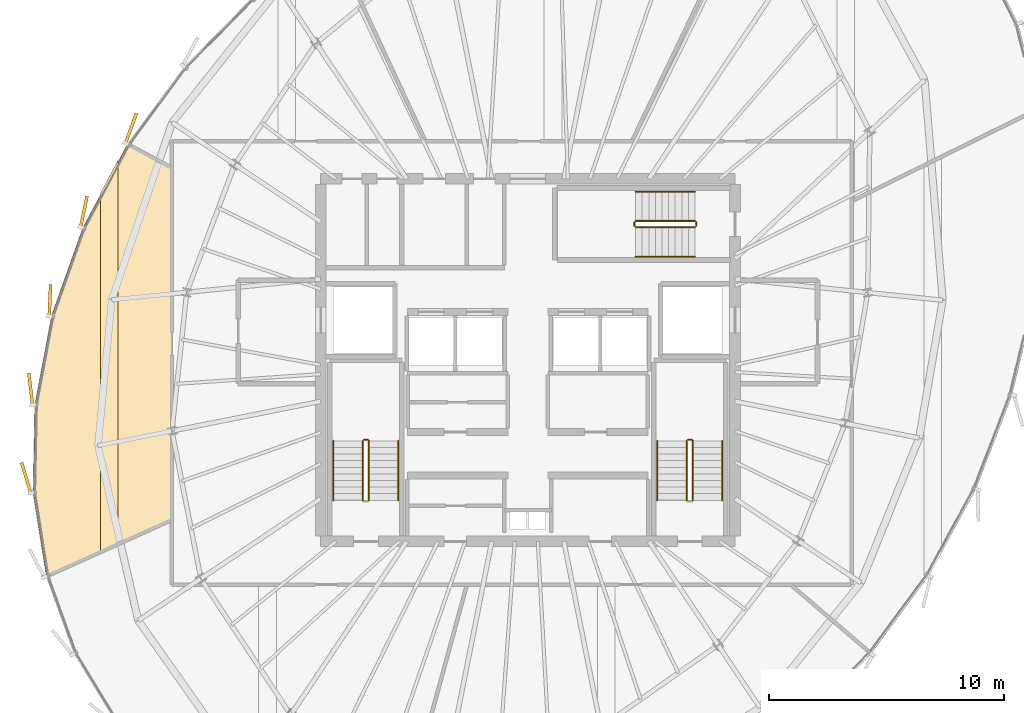
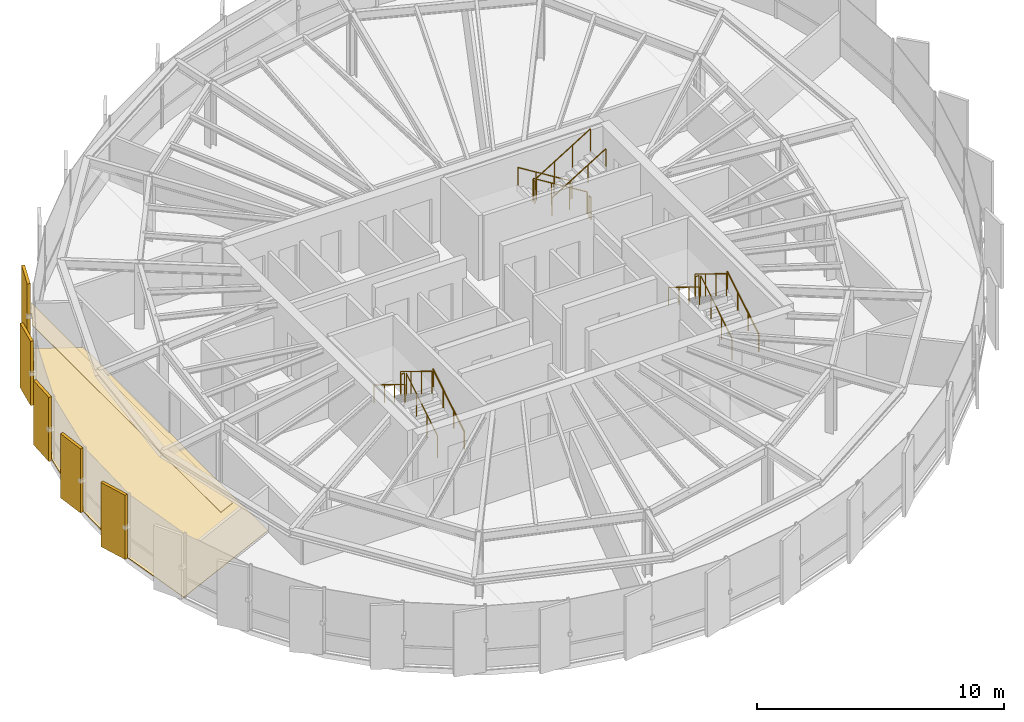
# One storey, part 32 of 33: 16 railings, 7 coverings.
"""IFC4 building model written with IfcOpenShell, lengths in metres."""

import ifcopenshell
import ifcopenshell.guid

model = None  # the IFC model being written
_history = None  # IfcOwnerHistory: only IFC2X3 demands one
_inside = {}  # id of a spatial element -> (the spatial element, [elements in it])
_under = {}  # id of a project, library or spatial element -> (it, [spatial elements below it])
_declared = {}  # id of a project -> (the project, [libraries it declares])
_typed = {}  # id of a type object -> (the type object, [elements of that type])
_made_of = {}  # id of a material, layer set ... -> (it, [elements and type objects made of it])


def new_model(schema):
    """Start an empty IFC model of exactly this schema.

    Asked for "IFC4X3", IfcOpenShell would pick the latest addendum, in which some entities
    have other attributes; the version numbers below select the first issue.
    IFC2X3 requires an IfcOwnerHistory on every rooted entity: one is made here for all.
    """
    global model, _history
    if schema == "IFC4X3":
        model = ifcopenshell.file(schema_version=(4, 3, 0, 0))
    else:
        model = ifcopenshell.file(schema=schema)
    _inside.clear()
    _under.clear()
    _declared.clear()
    _typed.clear()
    _made_of.clear()
    _history = None
    if model.schema == "IFC2X3":
        org = make("IfcOrganization", Name="unknown")
        user = make(
            "IfcPersonAndOrganization",
            ThePerson=make("IfcPerson", FamilyName="unknown"),
            TheOrganization=org,
        )
        app = make(
            "IfcApplication",
            ApplicationDeveloper=org,
            Version="unknown",
            ApplicationFullName="unknown",
            ApplicationIdentifier="unknown",
        )
        _history = make(
            "IfcOwnerHistory",
            OwningUser=user,
            OwningApplication=app,
            ChangeAction="ADDED",
            CreationDate=0,
        )
    return model


def make(cls, **values):
    """One entity of the class cls with the attributes given. An attribute that is None is left unset."""
    return model.create_entity(
        cls, **{name: value for name, value in values.items() if value is not None}
    )


def rooted(cls, **values):
    """An entity with a GlobalId (a new one), such as an element, a storey or a relation."""
    return make(cls, GlobalId=ifcopenshell.guid.new(), OwnerHistory=_history, **values)


def si_unit(unit_type, name, prefix=None):
    """IfcSIUnit, for example si_unit("LENGTHUNIT", "METRE", prefix="MILLI")."""
    return make("IfcSIUnit", UnitType=unit_type, Prefix=prefix, Name=name)


def assignment(units):
    """IfcUnitAssignment: the units of a project."""
    return None if units is None else make("IfcUnitAssignment", Units=units)


def point(xyz):
    """IfcCartesianPoint."""
    return None if xyz is None else make("IfcCartesianPoint", Coordinates=xyz)


def direction(xyz):
    """IfcDirection."""
    return None if xyz is None else make("IfcDirection", DirectionRatios=xyz)


def frame(location, z_axis=None, x_axis=None):
    """IfcAxis2Placement3D, a coordinate frame: its origin and axes. An axis left out is left unset."""
    return make(
        "IfcAxis2Placement3D",
        Location=point(location),
        Axis=direction(z_axis),
        RefDirection=direction(x_axis),
    )


def frame_2d(location, x_axis=None):
    """IfcAxis2Placement2D, a coordinate frame in the plane: its origin and x axis."""
    return make(
        "IfcAxis2Placement2D", Location=point(location), RefDirection=direction(x_axis)
    )


def origin():
    """The frame at (0, 0, 0) with its axes left unset."""
    return frame((0.0, 0.0, 0.0))


def origin_2d():
    """The frame at (0, 0) in the plane with its x axis left unset."""
    return frame_2d((0.0, 0.0))


def place(relative_to, where):
    """IfcLocalPlacement: puts the frame where relative to a parent placement (None: the world)."""
    return make(
        "IfcLocalPlacement", PlacementRelTo=relative_to, RelativePlacement=where
    )


def context(
    kind, dimensions, precision=None, world=None, true_north=None, identifier=None
):
    """IfcGeometricRepresentationContext, for example the 3D "Model" context."""
    return make(
        "IfcGeometricRepresentationContext",
        ContextIdentifier=identifier,
        ContextType=kind,
        CoordinateSpaceDimension=dimensions,
        Precision=precision,
        WorldCoordinateSystem=world,
        TrueNorth=true_north,
    )


def subcontext(parent, identifier, kind, view, scale=None):
    """IfcGeometricRepresentationSubContext, for example "Body" below "Model"."""
    return make(
        "IfcGeometricRepresentationSubContext",
        ContextIdentifier=identifier,
        ContextType=kind,
        ParentContext=parent,
        TargetScale=scale,
        TargetView=view,
    )


def project(units=None, contexts=None):
    """IfcProject with its units and contexts."""
    return rooted(
        "IfcProject",
        Name="project",
        RepresentationContexts=contexts,
        UnitsInContext=assignment(units),
    )


def spatial(cls, under=None, at=None, **own):
    """A site, building, storey or space (cls), placed at a placement, below another one or the project."""
    s = rooted(cls, ObjectPlacement=at, **own)
    if under is not None:
        _under.setdefault(under.id(), (under, []))[1].append(s)
    return s


def polyline(points):
    """IfcPolyline through the points."""
    return make("IfcPolyline", Points=[point(p) for p in points])


def profile(cls, at=None, kind="AREA", **sizes):
    """A parametric profile (cls). Its sizes go by their IFC names, for example OverallWidth=200.0."""
    return make(cls, ProfileType=kind, Position=at, **sizes)


def rectangle(**sizes):
    """IfcRectangleProfileDef."""
    return profile("IfcRectangleProfileDef", **sizes)


def circle(**sizes):
    """IfcCircleProfileDef."""
    return profile("IfcCircleProfileDef", **sizes)


def outline(outer, holes=None, kind="AREA"):
    """IfcArbitraryClosedProfileDef: a profile drawn as a closed curve; with holes, ...WithVoids."""
    if holes is None:
        return make("IfcArbitraryClosedProfileDef", ProfileType=kind, OuterCurve=outer)
    return make(
        "IfcArbitraryProfileDefWithVoids",
        ProfileType=kind,
        OuterCurve=outer,
        InnerCurves=holes,
    )


def extrude(swept, where, along, depth):
    """IfcExtrudedAreaSolid: the profile swept, set in the frame where, extruded along a direction by depth."""
    return make(
        "IfcExtrudedAreaSolid",
        SweptArea=swept,
        Position=where,
        ExtrudedDirection=direction(along),
        Depth=depth,
    )


def shape(context_of_items, identifier, shape_type, items):
    """IfcShapeRepresentation: the items that make up one representation, for example the "Body"."""
    return make(
        "IfcShapeRepresentation",
        ContextOfItems=context_of_items,
        RepresentationIdentifier=identifier,
        RepresentationType=shape_type,
        Items=items,
    )


def source(mapping_origin, context_of_items, identifier, shape_type, items):
    """IfcRepresentationMap: a shape defined once, which mapped items show again and again."""
    return make(
        "IfcRepresentationMap",
        MappingOrigin=mapping_origin,
        MappedRepresentation=shape(context_of_items, identifier, shape_type, items),
    )


def transform(
    local_origin,
    x_axis=None,
    y_axis=None,
    z_axis=None,
    scale=None,
    scale2=None,
    scale3=None,
    uniform=True,
):
    """IfcCartesianTransformationOperator3D, or its non-uniform kind. x_axis, y_axis, z_axis: its Axis1, 2, 3."""
    if uniform:
        return make(
            "IfcCartesianTransformationOperator3D",
            Axis1=direction(x_axis),
            Axis2=direction(y_axis),
            LocalOrigin=point(local_origin),
            Scale=scale,
            Axis3=direction(z_axis),
        )
    return make(
        "IfcCartesianTransformationOperator3DnonUniform",
        Axis1=direction(x_axis),
        Axis2=direction(y_axis),
        LocalOrigin=point(local_origin),
        Scale=scale,
        Axis3=direction(z_axis),
        Scale2=scale2,
        Scale3=scale3,
    )


def mapped(mapping_source, mapping_target):
    """IfcMappedItem: shows the shape of a source again, moved by a transform."""
    return make(
        "IfcMappedItem", MappingSource=mapping_source, MappingTarget=mapping_target
    )


def material(Name=None, Category=None):
    """IfcMaterial."""
    return make("IfcMaterial", Name=Name, Category=Category)


def layer(
    of_material, thickness, ventilated=None, Name=None, Category=None, Priority=None
):
    """IfcMaterialLayer: one layer of a wall or slab, of a material (None: an air gap)."""
    return make(
        "IfcMaterialLayer",
        Material=of_material,
        LayerThickness=thickness,
        IsVentilated=ventilated,
        Name=Name,
        Category=Category,
        Priority=Priority,
    )


def layer_set(layers, Name=None):
    """IfcMaterialLayerSet."""
    return make("IfcMaterialLayerSet", MaterialLayers=layers, LayerSetName=Name)


def made_of(thing, what):
    """Note that an element or type object is made of a material, layer set ...; save() writes the relation."""
    if what is not None:
        _made_of.setdefault(what.id(), (what, []))[1].append(thing)
    return thing


def type_object(cls, material=None, **own):
    """A type object (cls), such as IfcWallType, which elements share."""
    return made_of(rooted(cls, **own), material)


def element(
    cls,
    number,
    at=None,
    inside=None,
    cuts=None,
    type_object=None,
    material=None,
    context=None,
    identifier="Body",
    shape_type=None,
    held_by="IfcProductDefinitionShape",
    body=None,
    shapes=None,
    **own,
):
    """One element of the class cls, such as IfcWall. Its Tag is "e" and its number.

    at: its placement. inside: the storey or other place that contains it. cuts: it is an
    opening in that element (IfcRelVoidsElement). A single representation is given by context,
    identifier, shape_type and body (its items); several are given by shapes. held_by: the class
    of the entity that holds the representations. save() writes the other relations.
    """
    e = rooted(cls, Tag="e%d" % number, ObjectPlacement=at, **own)
    if body is not None:
        shapes = [shape(context, identifier, shape_type, body)]
    if shapes is not None:
        e.Representation = make(held_by, Representations=shapes)
    if inside is not None:
        _inside.setdefault(inside.id(), (inside, []))[1].append(e)
    if cuts is not None:
        rooted(
            "IfcRelVoidsElement", RelatingBuildingElement=cuts, RelatedOpeningElement=e
        )
    if type_object is not None:
        _typed.setdefault(type_object.id(), (type_object, []))[1].append(e)
    return made_of(e, material)


def aggregate(whole, parts):
    """IfcRelAggregates: a whole, such as a stair, and the parts it consists of."""
    return rooted("IfcRelAggregates", RelatingObject=whole, RelatedObjects=parts)


def save(model, path):
    """Write the relations noted so far, then the file.

    IfcRelAggregates (storeys below a building ...), IfcRelContainedInSpatialStructure (elements
    in a storey), IfcRelDefinesByType, IfcRelAssociatesMaterial and IfcRelDeclares: one each for
    every whole, place, type object, material and project.
    """
    for whole, parts in _under.values():
        aggregate(whole, parts)
    for where, things in _inside.values():
        rooted(
            "IfcRelContainedInSpatialStructure",
            RelatedElements=things,
            RelatingStructure=where,
        )
    for kind, things in _typed.values():
        rooted("IfcRelDefinesByType", RelatedObjects=things, RelatingType=kind)
    for what, things in _made_of.values():
        rooted("IfcRelAssociatesMaterial", RelatedObjects=things, RelatingMaterial=what)
    for by, libraries in _declared.values():
        rooted("IfcRelDeclares", RelatingContext=by, RelatedDefinitions=libraries)
    model.write(path)


model = new_model("IFC4")

# Units and contexts
model_context = context("Model", 3, precision=1e-05, world=origin(), true_north=direction((0.0, 1.0)))
body_context = subcontext(model_context, "Body", "Model", "MODEL_VIEW")
ifc_project = project(units=[si_unit("LENGTHUNIT", "METRE"), si_unit("AREAUNIT", "SQUARE_METRE"), si_unit("VOLUMEUNIT", "CUBIC_METRE"), si_unit("PLANEANGLEUNIT", "RADIAN"), si_unit("MASSUNIT", "GRAM", prefix="KILO"), si_unit("THERMODYNAMICTEMPERATUREUNIT", "KELVIN")], contexts=[model_context])

# Site, building, storey
site_placement = place(None, origin())
site = spatial("IfcSite", under=ifc_project, at=site_placement, CompositionType="ELEMENT")
building_placement = place(site_placement, origin())
building = spatial("IfcBuilding", under=site, at=building_placement, Name="Kethvar Cultural Tower", CompositionType="ELEMENT")
storey_placement = place(building_placement, frame((0.0, 0.0, 235.300048828125)))
storey = spatial("IfcBuildingStorey", under=building, at=storey_placement, Name="L61", CompositionType="ELEMENT", Elevation=235.300048828125)

# Coverings
ifc_material_1 = material(Name="Acoustic Mineral Fibre Ceiling")
ifc_layer_1 = layer(ifc_material_1, 0.0400390625, Name="Acoustic Mineral Fibre Ceiling")
ifc_layer_set_1 = layer_set([ifc_layer_1], Name="Acoustic Mineral Fibre Ceiling (40 mm)")
covering_type_1 = type_object("IfcCoveringType", Name="CV-ACOUSTIC-CEIL", PredefinedType="CEILING", material=ifc_layer_set_1)
covering_1_placement = place(storey_placement, frame((0.0, 0.0, 2.780029296875)))
element("IfcCovering", 1, at=covering_1_placement, inside=storey, type_object=covering_type_1, Name="L61 Room 07 Acoustic Ceiling Panel", PredefinedType="CEILING", context=body_context, shape_type="SweptSolid", body=[
    extrude(outline(polyline([(29.399658203125, 36.304931640625), (29.399658203125, 19.96826171875), (28.649658203125, 19.631591796875), (28.649658203125, 34.90087890625), (29.399658203125, 36.304931640625)])), origin(), (0.0, 0.0, 1.0), 0.0400390625),
])
ifc_material_2 = material(Name="Architectural Oak Timber", Category="wood")
ifc_layer_2 = layer(ifc_material_2, 0.02490234375, Name="Architectural Oak Timber", Category="wood")
ifc_layer_set_2 = layer_set([ifc_layer_2], Name="Architectural Oak Timber (25 mm)")
covering_type_2 = type_object("IfcCoveringType", Name="CV-OAK-FLOOR", PredefinedType="FLOORING", material=ifc_layer_set_2)
covering_2_placement = place(storey_placement, origin())
element("IfcCovering", 2, at=covering_2_placement, inside=storey, type_object=covering_type_2, Name="L61 Room 07 Floor Finish", PredefinedType="FLOORING", context=body_context, shape_type="SweptSolid", body=[
    extrude(outline(polyline([(25.7890625, 22.17529296875), (25.864501953125, 25.90283203125), (26.57568359375, 29.688232421875), (27.90185546875, 33.41650390625), (29.793701171875, 36.957763671875), (31.659912109375, 35.9501953125), (31.659912109375, 21.026611328125), (26.348388671875, 18.642578125), (25.7890625, 22.17529296875)])), origin(), (0.0, 0.0, 1.0), 0.02490234375),
])

# Railings
ifc_material_3 = material(Name="Steel S355J2", Category="steel")
railing_type_1 = type_object("IfcRailingType", Name="RL-STAIR-GUARD", PredefinedType="BALUSTRADE", material=ifc_material_3)
railing_1_placement = place(storey_placement, frame((40.050048828125, 21.85009765625, 0.17236328125)))
element("IfcRailing", 3, at=railing_1_placement, inside=storey, type_object=railing_type_1, Name="L61 ST-01 stair guard 1", PredefinedType="BALUSTRADE", context=body_context, shape_type="SweptSolid", body=[
    extrude(circle(Radius=0.02392578125, at=origin_2d()), frame((0.0, 0.0, 1.09619140625), z_axis=(0.0, 0.851400495292, 0.524516154772), x_axis=(-1.0, 0.0, 0.0)), (0.0, 0.0, 1.0), 2.9599609375),
    extrude(circle(Radius=0.02099609375, at=origin_2d()), origin(), (0.0, 0.0, 1.0), 1.072021484375),
    extrude(circle(Radius=0.02099609375, at=origin_2d()), frame((0.0, 0.840087890625, 0.517578125)), (0.0, 0.0, 1.0), 1.072021484375),
    extrude(circle(Radius=0.02099609375, at=origin_2d()), frame((0.0, 1.679931640625, 1.034912109375)), (0.0, 0.0, 1.0), 1.072021484375),
    extrude(circle(Radius=0.02099609375, at=origin_2d()), frame((0.0, 2.52001953125, 1.552490234375)), (0.0, 0.0, 1.0), 1.072021484375),
])
railing_2_placement = place(storey_placement, frame((40.0, 24.419921875, 1.724853515625)))
element("IfcRailing", 4, at=railing_2_placement, inside=storey, type_object=railing_type_1, Name="L61 ST-01 stair guard 2", PredefinedType="BALUSTRADE", context=body_context, shape_type="SweptSolid", body=[
    extrude(circle(Radius=0.02392578125, at=origin_2d()), frame((0.0, 0.0, 1.09619140625), z_axis=(-1.0, 0.0, 0.0), x_axis=(0.0, -1.0, 0.0)), (0.0, 0.0, 1.0), 0.159912109375),
    extrude(circle(Radius=0.02099609375, at=origin_2d()), origin(), (0.0, 0.0, 1.0), 1.072021484375),
    extrude(circle(Radius=0.02099609375, at=origin_2d()), frame((-0.159912109375, 0.0, 0.0)), (0.0, 0.0, 1.0), 1.072021484375),
])
railing_3_placement = place(storey_placement, frame((39.7900390625, 24.3701171875, 1.8974609375)))
element("IfcRailing", 5, at=railing_3_placement, inside=storey, type_object=railing_type_1, Name="L61 ST-01 stair guard 3", PredefinedType="BALUSTRADE", context=body_context, shape_type="SweptSolid", body=[
    extrude(circle(Radius=0.02392578125, at=origin_2d()), frame((0.0, 0.0, 1.09619140625), z_axis=(0.0, -0.851400495292, 0.524516154772), x_axis=(1.0, 0.0, 0.0)), (0.0, 0.0, 1.0), 2.9599609375),
    extrude(circle(Radius=0.02099609375, at=origin_2d()), origin(), (0.0, 0.0, 1.0), 1.072021484375),
    extrude(circle(Radius=0.02099609375, at=origin_2d()), frame((0.0, -0.840087890625, 0.517578125)), (0.0, 0.0, 1.0), 1.072021484375),
    extrude(circle(Radius=0.02099609375, at=origin_2d()), frame((0.0, -1.679931640625, 1.034912109375)), (0.0, 0.0, 1.0), 1.072021484375),
    extrude(circle(Radius=0.02099609375, at=origin_2d()), frame((0.0, -2.52001953125, 1.552490234375)), (0.0, 0.0, 1.0), 1.072021484375),
])
railing_4_placement = place(storey_placement, frame((53.81005859375, 21.85009765625, 0.17236328125)))
element("IfcRailing", 6, at=railing_4_placement, inside=storey, type_object=railing_type_1, Name="L61 ST-02 stair guard 1", PredefinedType="BALUSTRADE", context=body_context, shape_type="SweptSolid", body=[
    extrude(circle(Radius=0.02392578125, at=origin_2d()), frame((0.0, 0.0, 1.09619140625), z_axis=(0.0, 0.851400495292, 0.524516154772), x_axis=(-1.0, 0.0, 0.0)), (0.0, 0.0, 1.0), 2.9599609375),
    extrude(circle(Radius=0.02099609375, at=origin_2d()), origin(), (0.0, 0.0, 1.0), 1.072021484375),
    extrude(circle(Radius=0.02099609375, at=origin_2d()), frame((0.0, 0.840087890625, 0.517578125)), (0.0, 0.0, 1.0), 1.072021484375),
    extrude(circle(Radius=0.02099609375, at=origin_2d()), frame((0.0, 1.679931640625, 1.034912109375)), (0.0, 0.0, 1.0), 1.072021484375),
    extrude(circle(Radius=0.02099609375, at=origin_2d()), frame((0.0, 2.52001953125, 1.552490234375)), (0.0, 0.0, 1.0), 1.072021484375),
])
railing_5_placement = place(storey_placement, frame((53.760009765625, 24.419921875, 1.724853515625)))
element("IfcRailing", 7, at=railing_5_placement, inside=storey, type_object=railing_type_1, Name="L61 ST-02 stair guard 2", PredefinedType="BALUSTRADE", context=body_context, shape_type="SweptSolid", body=[
    extrude(circle(Radius=0.02392578125, at=origin_2d()), frame((0.0, 0.0, 1.09619140625), z_axis=(-1.0, 0.0, 0.0), x_axis=(0.0, -1.0, 0.0)), (0.0, 0.0, 1.0), 0.159912109375),
    extrude(circle(Radius=0.02099609375, at=origin_2d()), origin(), (0.0, 0.0, 1.0), 1.072021484375),
    extrude(circle(Radius=0.02099609375, at=origin_2d()), frame((-0.159912109375, 0.0, 0.0)), (0.0, 0.0, 1.0), 1.072021484375),
])
railing_6_placement = place(storey_placement, frame((53.550048828125, 24.3701171875, 1.8974609375)))
element("IfcRailing", 8, at=railing_6_placement, inside=storey, type_object=railing_type_1, Name="L61 ST-02 stair guard 3", PredefinedType="BALUSTRADE", context=body_context, shape_type="SweptSolid", body=[
    extrude(circle(Radius=0.02392578125, at=origin_2d()), frame((0.0, 0.0, 1.09619140625), z_axis=(0.0, -0.851400495292, 0.524516154772), x_axis=(1.0, 0.0, 0.0)), (0.0, 0.0, 1.0), 2.9599609375),
    extrude(circle(Radius=0.02099609375, at=origin_2d()), origin(), (0.0, 0.0, 1.0), 1.072021484375),
    extrude(circle(Radius=0.02099609375, at=origin_2d()), frame((0.0, -0.840087890625, 0.517578125)), (0.0, 0.0, 1.0), 1.072021484375),
    extrude(circle(Radius=0.02099609375, at=origin_2d()), frame((0.0, -1.679931640625, 1.034912109375)), (0.0, 0.0, 1.0), 1.072021484375),
    extrude(circle(Radius=0.02099609375, at=origin_2d()), frame((0.0, -2.52001953125, 1.552490234375)), (0.0, 0.0, 1.0), 1.072021484375),
])
railing_7_placement = place(storey_placement, frame((53.89990234375, 33.7099609375, 0.17236328125)))
element("IfcRailing", 9, at=railing_7_placement, inside=storey, type_object=railing_type_1, Name="L61 ST-03 stair guard 1", PredefinedType="BALUSTRADE", context=body_context, shape_type="SweptSolid", body=[
    extrude(circle(Radius=0.02392578125, at=origin_2d()), frame((0.0, 0.0, 1.09619140625), z_axis=(-0.851400495292, 0.0, 0.524516154772), x_axis=(0.0, -1.0, 0.0)), (0.0, 0.0, 1.0), 2.9599609375),
    extrude(circle(Radius=0.02099609375, at=origin_2d()), origin(), (0.0, 0.0, 1.0), 1.072021484375),
    extrude(circle(Radius=0.02099609375, at=origin_2d()), frame((-0.840087890625, 0.0, 0.517578125)), (0.0, 0.0, 1.0), 1.072021484375),
    extrude(circle(Radius=0.02099609375, at=origin_2d()), frame((-1.679931640625, 0.0, 1.034912109375)), (0.0, 0.0, 1.0), 1.072021484375),
    extrude(circle(Radius=0.02099609375, at=origin_2d()), frame((-2.52001953125, 0.0, 1.552490234375)), (0.0, 0.0, 1.0), 1.072021484375),
])
railing_8_placement = place(storey_placement, frame((51.330078125, 33.659912109375, 1.724853515625)))
element("IfcRailing", 10, at=railing_8_placement, inside=storey, type_object=railing_type_1, Name="L61 ST-03 stair guard 2", PredefinedType="BALUSTRADE", context=body_context, shape_type="SweptSolid", body=[
    extrude(circle(Radius=0.02392578125, at=origin_2d()), frame((0.0, 0.0, 1.09619140625), z_axis=(0.0, -1.0, 0.0), x_axis=(1.0, 0.0, 0.0)), (0.0, 0.0, 1.0), 0.159912109375),
    extrude(circle(Radius=0.02099609375, at=origin_2d()), origin(), (0.0, 0.0, 1.0), 1.072021484375),
    extrude(circle(Radius=0.02099609375, at=origin_2d()), frame((0.0, -0.159912109375, 0.0)), (0.0, 0.0, 1.0), 1.072021484375),
])
railing_9_placement = place(storey_placement, frame((51.3798828125, 33.449951171875, 1.8974609375)))
element("IfcRailing", 11, at=railing_9_placement, inside=storey, type_object=railing_type_1, Name="L61 ST-03 stair guard 3", PredefinedType="BALUSTRADE", context=body_context, shape_type="SweptSolid", body=[
    extrude(circle(Radius=0.02392578125, at=origin_2d()), frame((0.0, 0.0, 1.09619140625), z_axis=(0.851400495292, 0.0, 0.524516154772), x_axis=(0.0, 1.0, 0.0)), (0.0, 0.0, 1.0), 2.9599609375),
    extrude(circle(Radius=0.02099609375, at=origin_2d()), origin(), (0.0, 0.0, 1.0), 1.072021484375),
    extrude(circle(Radius=0.02099609375, at=origin_2d()), frame((0.840087890625, 0.0, 0.517578125)), (0.0, 0.0, 1.0), 1.072021484375),
    extrude(circle(Radius=0.02099609375, at=origin_2d()), frame((1.679931640625, 0.0, 1.034912109375)), (0.0, 0.0, 1.0), 1.072021484375),
    extrude(circle(Radius=0.02099609375, at=origin_2d()), frame((2.52001953125, 0.0, 1.552490234375)), (0.0, 0.0, 1.0), 1.072021484375),
])
railing_10_placement = place(storey_placement, frame((53.949951171875, 33.659912109375, 0.0)))
element("IfcRailing", 12, at=railing_10_placement, inside=storey, type_object=railing_type_1, Name="L61 ST-03 stair guard 4", PredefinedType="BALUSTRADE", context=body_context, shape_type="SweptSolid", body=[
    extrude(circle(Radius=0.02392578125, at=origin_2d()), frame((0.0, 0.0, 1.09619140625), z_axis=(0.0, -1.0, 0.0), x_axis=(1.0, 0.0, 0.0)), (0.0, 0.0, 1.0), 0.159912109375),
    extrude(circle(Radius=0.02099609375, at=origin_2d()), origin(), (0.0, 0.0, 1.0), 1.072021484375),
    extrude(circle(Radius=0.02099609375, at=origin_2d()), frame((0.0, -0.159912109375, 0.0)), (0.0, 0.0, 1.0), 1.072021484375),
])
railing_type_2 = type_object("IfcRailingType", Name="RL-STAIR-HANDRAIL", PredefinedType="HANDRAIL", material=ifc_material_3)
railing_11_placement = place(storey_placement, frame((41.300048828125, 21.85009765625, 0.17236328125)))
element("IfcRailing", 13, at=railing_11_placement, inside=storey, type_object=railing_type_2, Name="L61 ST-01 stair handrail 1", PredefinedType="HANDRAIL", context=body_context, shape_type="SweptSolid", body=[
    extrude(circle(Radius=0.02392578125, at=origin_2d()), frame((0.0, 0.0, 0.8759765625), z_axis=(0.0, 0.851400495292, 0.524516154772), x_axis=(-1.0, 0.0, 0.0)), (0.0, 0.0, 1.0), 2.9599609375),
    extrude(circle(Radius=0.02099609375, at=origin_2d()), origin(), (0.0, 0.0, 1.0), 0.851806640625),
    extrude(circle(Radius=0.02099609375, at=origin_2d()), frame((0.0, 0.840087890625, 0.517578125)), (0.0, 0.0, 1.0), 0.851806640625),
    extrude(circle(Radius=0.02099609375, at=origin_2d()), frame((0.0, 1.679931640625, 1.034912109375)), (0.0, 0.0, 1.0), 0.851806640625),
    extrude(circle(Radius=0.02099609375, at=origin_2d()), frame((0.0, 2.52001953125, 1.552490234375)), (0.0, 0.0, 1.0), 0.851806640625),
])
railing_12_placement = place(storey_placement, frame((38.5400390625, 24.3701171875, 1.8974609375)))
element("IfcRailing", 14, at=railing_12_placement, inside=storey, type_object=railing_type_2, Name="L61 ST-01 stair handrail 2", PredefinedType="HANDRAIL", context=body_context, shape_type="SweptSolid", body=[
    extrude(circle(Radius=0.02392578125, at=origin_2d()), frame((0.0, 0.0, 0.8759765625), z_axis=(0.0, -0.851400495292, 0.524516154772), x_axis=(1.0, 0.0, 0.0)), (0.0, 0.0, 1.0), 2.9599609375),
    extrude(circle(Radius=0.02099609375, at=origin_2d()), origin(), (0.0, 0.0, 1.0), 0.851806640625),
    extrude(circle(Radius=0.02099609375, at=origin_2d()), frame((0.0, -0.840087890625, 0.517578125)), (0.0, 0.0, 1.0), 0.851806640625),
    extrude(circle(Radius=0.02099609375, at=origin_2d()), frame((0.0, -1.679931640625, 1.034912109375)), (0.0, 0.0, 1.0), 0.851806640625),
    extrude(circle(Radius=0.02099609375, at=origin_2d()), frame((0.0, -2.52001953125, 1.552490234375)), (0.0, 0.0, 1.0), 0.851806640625),
])
railing_13_placement = place(storey_placement, frame((55.06005859375, 21.85009765625, 0.17236328125)))
element("IfcRailing", 15, at=railing_13_placement, inside=storey, type_object=railing_type_2, Name="L61 ST-02 stair handrail 1", PredefinedType="HANDRAIL", context=body_context, shape_type="SweptSolid", body=[
    extrude(circle(Radius=0.02392578125, at=origin_2d()), frame((0.0, 0.0, 0.8759765625), z_axis=(0.0, 0.851400495292, 0.524516154772), x_axis=(-1.0, 0.0, 0.0)), (0.0, 0.0, 1.0), 2.9599609375),
    extrude(circle(Radius=0.02099609375, at=origin_2d()), origin(), (0.0, 0.0, 1.0), 0.851806640625),
    extrude(circle(Radius=0.02099609375, at=origin_2d()), frame((0.0, 0.840087890625, 0.517578125)), (0.0, 0.0, 1.0), 0.851806640625),
    extrude(circle(Radius=0.02099609375, at=origin_2d()), frame((0.0, 1.679931640625, 1.034912109375)), (0.0, 0.0, 1.0), 0.851806640625),
    extrude(circle(Radius=0.02099609375, at=origin_2d()), frame((0.0, 2.52001953125, 1.552490234375)), (0.0, 0.0, 1.0), 0.851806640625),
])
railing_14_placement = place(storey_placement, frame((52.300048828125, 24.3701171875, 1.8974609375)))
element("IfcRailing", 16, at=railing_14_placement, inside=storey, type_object=railing_type_2, Name="L61 ST-02 stair handrail 2", PredefinedType="HANDRAIL", context=body_context, shape_type="SweptSolid", body=[
    extrude(circle(Radius=0.02392578125, at=origin_2d()), frame((0.0, 0.0, 0.8759765625), z_axis=(0.0, -0.851400495292, 0.524516154772), x_axis=(1.0, 0.0, 0.0)), (0.0, 0.0, 1.0), 2.9599609375),
    extrude(circle(Radius=0.02099609375, at=origin_2d()), origin(), (0.0, 0.0, 1.0), 0.851806640625),
    extrude(circle(Radius=0.02099609375, at=origin_2d()), frame((0.0, -0.840087890625, 0.517578125)), (0.0, 0.0, 1.0), 0.851806640625),
    extrude(circle(Radius=0.02099609375, at=origin_2d()), frame((0.0, -1.679931640625, 1.034912109375)), (0.0, 0.0, 1.0), 0.851806640625),
    extrude(circle(Radius=0.02099609375, at=origin_2d()), frame((0.0, -2.52001953125, 1.552490234375)), (0.0, 0.0, 1.0), 0.851806640625),
])
railing_15_placement = place(storey_placement, frame((53.89990234375, 34.9599609375, 0.17236328125)))
element("IfcRailing", 17, at=railing_15_placement, inside=storey, type_object=railing_type_2, Name="L61 ST-03 stair handrail 1", PredefinedType="HANDRAIL", context=body_context, shape_type="SweptSolid", body=[
    extrude(circle(Radius=0.02392578125, at=origin_2d()), frame((0.0, 0.0, 0.8759765625), z_axis=(-0.851400495292, 0.0, 0.524516154772), x_axis=(0.0, -1.0, 0.0)), (0.0, 0.0, 1.0), 2.9599609375),
    extrude(circle(Radius=0.02099609375, at=origin_2d()), origin(), (0.0, 0.0, 1.0), 0.851806640625),
    extrude(circle(Radius=0.02099609375, at=origin_2d()), frame((-0.840087890625, 0.0, 0.517578125)), (0.0, 0.0, 1.0), 0.851806640625),
    extrude(circle(Radius=0.02099609375, at=origin_2d()), frame((-1.679931640625, 0.0, 1.034912109375)), (0.0, 0.0, 1.0), 0.851806640625),
    extrude(circle(Radius=0.02099609375, at=origin_2d()), frame((-2.52001953125, 0.0, 1.552490234375)), (0.0, 0.0, 1.0), 0.851806640625),
])
railing_16_placement = place(storey_placement, frame((51.3798828125, 32.199951171875, 1.8974609375)))
element("IfcRailing", 18, at=railing_16_placement, inside=storey, type_object=railing_type_2, Name="L61 ST-03 stair handrail 2", PredefinedType="HANDRAIL", context=body_context, shape_type="SweptSolid", body=[
    extrude(circle(Radius=0.02392578125, at=origin_2d()), frame((0.0, 0.0, 0.8759765625), z_axis=(0.851400495292, 0.0, 0.524516154772), x_axis=(0.0, 1.0, 0.0)), (0.0, 0.0, 1.0), 2.9599609375),
    extrude(circle(Radius=0.02099609375, at=origin_2d()), origin(), (0.0, 0.0, 1.0), 0.851806640625),
    extrude(circle(Radius=0.02099609375, at=origin_2d()), frame((0.840087890625, 0.0, 0.517578125)), (0.0, 0.0, 1.0), 0.851806640625),
    extrude(circle(Radius=0.02099609375, at=origin_2d()), frame((1.679931640625, 0.0, 1.034912109375)), (0.0, 0.0, 1.0), 0.851806640625),
    extrude(circle(Radius=0.02099609375, at=origin_2d()), frame((2.52001953125, 0.0, 1.552490234375)), (0.0, 0.0, 1.0), 0.851806640625),
])

# Coverings
ifc_material_4 = material(Name="Extruded Architectural Terracotta", Category="masonry")
ifc_layer_3 = layer(ifc_material_4, 0.135009765625, Name="Extruded Architectural Terracotta", Category="masonry")
ifc_layer_set_3 = layer_set([ifc_layer_3], Name="Extruded Architectural Terracotta (135 mm)")
covering_type_3 = type_object("IfcCoveringType", Name="Terracotta Facade Fin FIN-03", PredefinedType="CLADDING", material=ifc_layer_set_3)
shared_shape = source(origin(), body_context, "Body", "SweptSolid", [
    extrude(rectangle(XDim=1.35009765625, YDim=0.135009765625, at=origin_2d()), origin(), (0.0, 0.0, 1.0), 3.169921875),
])
for number, where, z_axis, x_axis, name in (
    (19, (29.947021484375, 37.656494140625, 0.02001953125), (0.0, 0.0, 1.0), (0.343823592217, 0.93903425786, 0.0), "L61 Vertical Terracotta Fin 2.5"),
    (20, (27.943603515625, 34.11279296875, 0.02001953125), (0.0, 0.0, 1.0), (0.200735972635, 0.979645379354, 0.0), "L61 Vertical Terracotta Fin 2.6"),
    (21, (26.502197265625, 30.347412109375, 0.02001953125), (0.0, 0.0, 1.0), (0.046060390041, 0.99893865701, 0.0), "L61 Vertical Terracotta Fin 3.1"),
    (22, (25.68408203125, 26.57666015625, 0.02001953125), (0.0, 0.0, 1.0), (-0.119097160095, 0.99288260457, 0.0), "L61 Vertical Terracotta Fin 3.2"),
    (23, (25.492919921875, 22.806884765625, 0.02001953125), (0.0, 0.0, 1.0), (-0.292371704723, 0.956304755963, 0.0), "L61 Vertical Terracotta Fin 3.3"),
):
    element("IfcCovering", number, at=place(storey_placement, frame(where, z_axis=z_axis, x_axis=x_axis)), inside=storey, type_object=covering_type_3, Name=name, PredefinedType="CLADDING", context=body_context, shape_type="MappedRepresentation", body=[
        mapped(shared_shape, transform((0.0, 0.0, 0.0), scale=1.0)),
    ])

save(model, "model.ifc")
